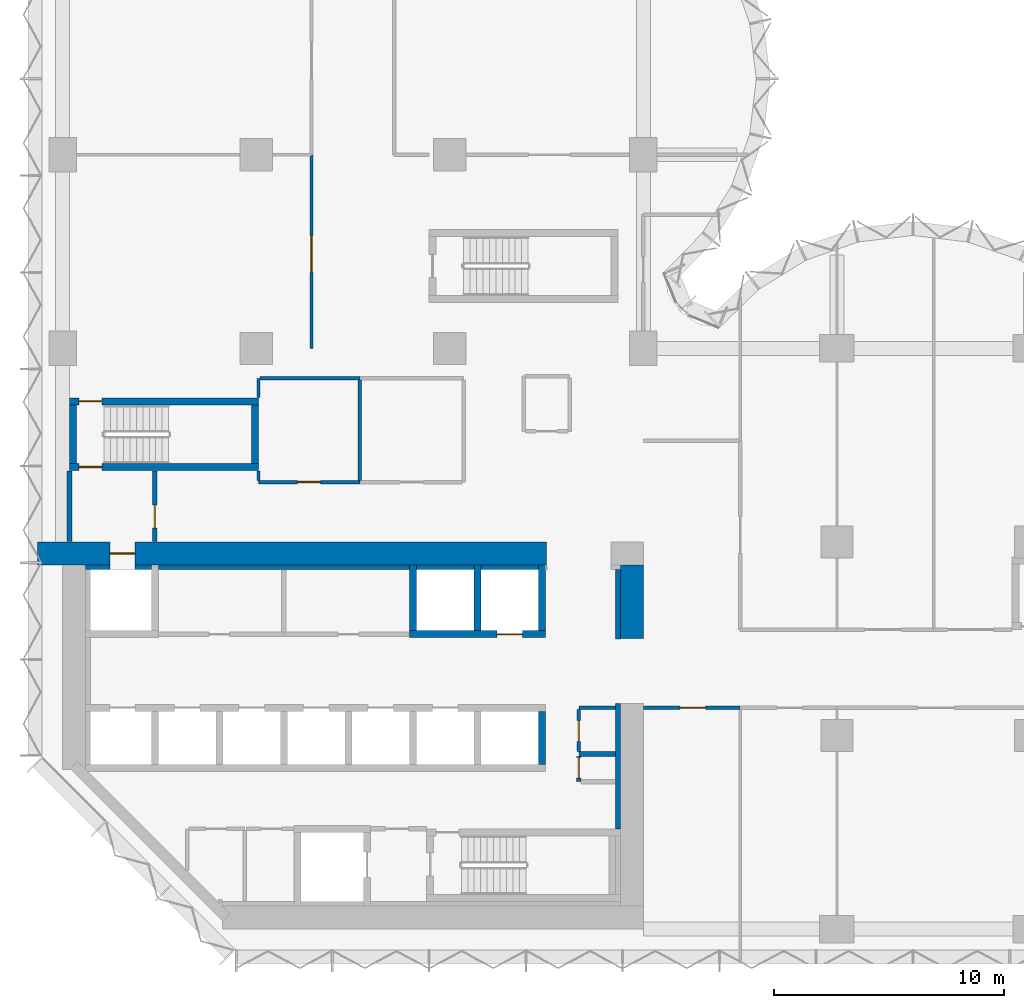
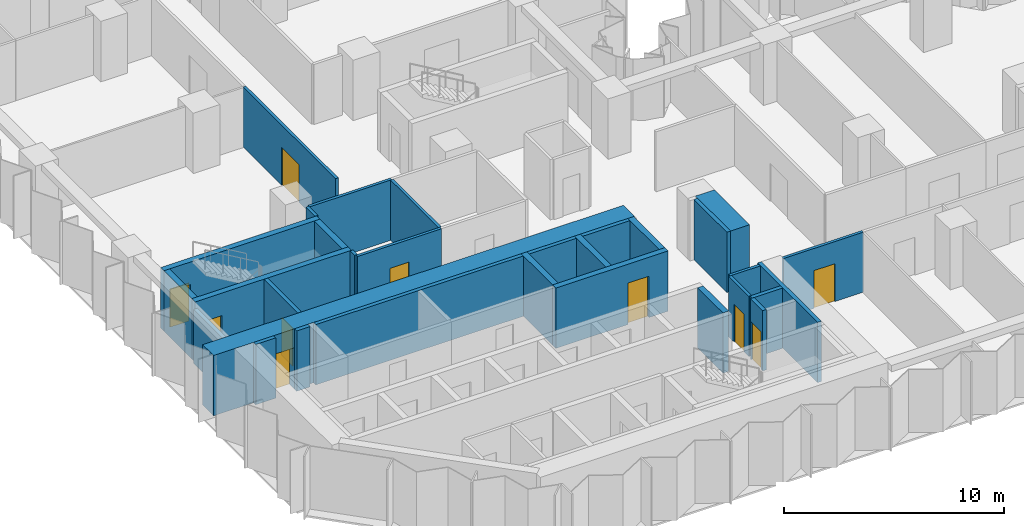
# One storey, part 8 of 15: 31 walls, 10 doors, 10 openings.
"""IFC4 building model written with IfcOpenShell, lengths in metres."""

from ifc_helpers import new_model, si_unit, direction, frame, frame_2d, origin, place, context, subcontext, project, spatial, rectangle, extrude, material, layer, layer_set, type_object, element, fill, save


model = new_model("IFC4")

# Units and contexts
model_context = context("Model", 3, precision=1e-05, world=origin(), true_north=direction((0.0, 1.0)))
body_context = subcontext(model_context, "Body", "Model", "MODEL_VIEW")
ifc_project = project(units=[si_unit("LENGTHUNIT", "METRE"), si_unit("AREAUNIT", "SQUARE_METRE"), si_unit("VOLUMEUNIT", "CUBIC_METRE"), si_unit("PLANEANGLEUNIT", "RADIAN"), si_unit("MASSUNIT", "GRAM", prefix="KILO")], contexts=[model_context])

# Site, building, storey
site_placement = place(None, origin())
site = spatial("IfcSite", under=ifc_project, at=site_placement, CompositionType="ELEMENT")
building_placement = place(site_placement, origin())
building = spatial("IfcBuilding", under=site, at=building_placement, Name="Brevane Broadcast Tower", CompositionType="ELEMENT")
storey_placement = place(building_placement, frame((0.0, 0.0, 65.300048828125)))
storey = spatial("IfcBuildingStorey", under=building, at=storey_placement, Name="L14", CompositionType="ELEMENT", Elevation=65.300048828125)

# Walls
ifc_material_1 = material(Name="Concrete C32/40", Category="concrete")
ifc_layer_1 = layer(ifc_material_1, 0.199951171875)
ifc_layer_set_1 = layer_set([ifc_layer_1], Name="Core chase wall 200 mm")
wall_type_1 = type_object("IfcWallType", Name="Core chase wall 200 mm", PredefinedType="PARTITIONING", material=ifc_layer_set_1)
wall_1_placement = place(storey_placement, frame((24.10009765625, 12.60009765625, 0.0), z_axis=(0.0, 0.0, 1.0), x_axis=(0.0, 1.0, 0.0)))
element("IfcWall", 1, at=wall_1_placement, inside=storey, type_object=wall_type_1, Name="L14 chase wall LE2", PredefinedType="PARTITIONING", context=body_context, shape_type="SweptSolid", body=[
    extrude(rectangle(XDim=3.0, YDim=0.199951171875, at=frame_2d((1.5, 0.0))), origin(), (0.0, 0.0, 1.0), 3.349853515625),
])
wall_2_placement = place(storey_placement, frame((1.0, 15.699951171875, 0.0), z_axis=(0.0, 0.0, 1.0), x_axis=(1.0, 0.0, 0.0)))
element("IfcWall", 2, at=wall_2_placement, inside=storey, type_object=wall_type_1, Name="L14 chase wall LN0", PredefinedType="PARTITIONING", context=body_context, shape_type="SweptSolid", body=[
    extrude(rectangle(XDim=1.050048828125, YDim=0.199951171875, at=frame_2d((0.52490234375, 0.0))), origin(), (0.0, 0.0, 1.0), 3.349853515625),
])
wall_3_placement = place(storey_placement, frame((3.14990234375, 15.699951171875, 0.0), z_axis=(0.0, 0.0, 1.0), x_axis=(1.0, 0.0, 0.0)))
element("IfcWall", 3, at=wall_3_placement, inside=storey, type_object=wall_type_1, Name="L14 chase wall LN1-1", PredefinedType="PARTITIONING", context=body_context, shape_type="SweptSolid", body=[
    extrude(rectangle(XDim=0.7001953125, YDim=0.199951171875, at=frame_2d((0.35009765625, 0.0))), origin(), (0.0, 0.0, 1.0), 3.349853515625),
])
wall_4_placement = place(storey_placement, frame((4.14990234375, 15.699951171875, 0.0), z_axis=(0.0, 0.0, 1.0), x_axis=(1.0, 0.0, 0.0)))
element("IfcWall", 4, at=wall_4_placement, inside=storey, type_object=wall_type_1, Name="L14 chase wall LN1-2-1", PredefinedType="PARTITIONING", context=body_context, shape_type="SweptSolid", body=[
    extrude(rectangle(XDim=10.900146484375, YDim=0.199951171875, at=frame_2d((5.4501953125, 0.0))), origin(), (0.0, 0.0, 1.0), 3.349853515625),
])
for number, where, z_axis, x_axis, name in (
    (5, (15.35009765625, 15.699951171875, 0.0), (0.0, 0.0, 1.0), (1.0, 0.0, 0.0), "L14 chase wall LN1-2-2-1"),
    (6, (18.14990234375, 15.699951171875, 0.0), (0.0, 0.0, 1.0), (1.0, 0.0, 0.0), "L14 chase wall LN1-2-2-2-1"),
):
    element("IfcWall", number, at=place(storey_placement, frame(where, z_axis=z_axis, x_axis=x_axis)), inside=storey, type_object=wall_type_1, Name=name, PredefinedType="PARTITIONING", context=body_context, shape_type="SweptSolid", body=[
        extrude(rectangle(XDim=2.5, YDim=0.199951171875, at=frame_2d((1.25, 0.0))), origin(), (0.0, 0.0, 1.0), 3.349853515625),
    ])
wall_5_placement = place(storey_placement, frame((24.10009765625, 4.35009765625, 0.0), z_axis=(0.0, 0.0, 1.0), x_axis=(0.0, 1.0, 0.0)))
element("IfcWall", 7, at=wall_5_placement, inside=storey, type_object=wall_type_1, Name="L14 chase wall LE1-2-2", PredefinedType="PARTITIONING", context=body_context, shape_type="SweptSolid", body=[
    extrude(rectangle(XDim=5.449951171875, YDim=0.199951171875, at=frame_2d((2.72509765625, 0.0))), origin(), (0.0, 0.0, 1.0), 3.349853515625),
])

# Wall, opening, door
ifc_material_2 = material(Name="Gypsum board on steel studs", Category="steel")
ifc_layer_2 = layer(ifc_material_2, 0.14990234375)
ifc_layer_set_2 = layer_set([ifc_layer_2], Name="Core fire partition 150 mm")
wall_type_2 = type_object("IfcWallType", Name="Core fire partition 150 mm", PredefinedType="PARTITIONING", material=ifc_layer_set_2)
wall_6_placement = place(storey_placement, frame((12.89990234375, 19.39990234375, 0.0), z_axis=(0.0, 0.0, 1.0), x_axis=(-1.0, 0.0, 0.0)))
wall_6 = element("IfcWall", 8, at=wall_6_placement, inside=storey, type_object=wall_type_2, Name="L14 partition wall P15", PredefinedType="PARTITIONING", context=body_context, shape_type="SweptSolid", body=[
    extrude(rectangle(XDim=4.39990234375, YDim=0.14990234375, at=frame_2d((2.199951171875, 0.0))), origin(), (0.0, 0.0, 1.0), 3.349853515625),
])
opening_1_placement = place(wall_6_placement, frame((1.699951171875, 0.0, 0.0)))
opening_1 = element("IfcOpeningElement", 9, at=opening_1_placement, cuts=wall_6, Name="Opening L14-K25", PredefinedType="OPENING", context=body_context, shape_type="SweptSolid", body=[
    extrude(rectangle(XDim=1.0, YDim=2.10009765625, at=frame_2d((0.5, 1.050048828125))), frame((0.0, 0.0849609375, 0.0), z_axis=(0.0, -1.0, 0.0), x_axis=(1.0, 0.0, 0.0)), (0.0, 0.0, 1.0), 0.169921875),
])
ifc_material_3 = material(Name="Steel", Category="steel")
door_type_1 = type_object("IfcDoorType", Name="Service room door 1000 x 2100", OperationType="SINGLE_SWING_LEFT", PredefinedType="DOOR", material=ifc_material_3)
door_1_placement = place(opening_1_placement, origin())
door_1 = element("IfcDoor", 10, at=door_1_placement, inside=storey, type_object=door_type_1, Name="Door L14-K25", OperationType="SINGLE_SWING_RIGHT", OverallHeight=2.10009765625, OverallWidth=1.0, PredefinedType="DOOR", context=body_context, shape_type="SweptSolid", body=[
    extrude(rectangle(XDim=1.0, YDim=2.10009765625, at=frame_2d((0.5, 1.050048828125))), frame((0.0, 0.02490234375, 0.0), z_axis=(0.0, -1.0, 0.0), x_axis=(1.0, 0.0, 0.0)), (0.0, 0.0, 1.0), 0.050048828125),
])
fill(opening_1, door_1)

# Walls
wall_7_placement = place(storey_placement, frame((8.5, 19.47509765625, 0.0), z_axis=(0.0, 0.0, 1.0), x_axis=(0.0, 1.0, 0.0)))
element("IfcWall", 11, at=wall_7_placement, inside=storey, type_object=wall_type_2, Name="L14 partition wall P16", PredefinedType="PARTITIONING", context=body_context, shape_type="SweptSolid", body=[
    extrude(rectangle(XDim=0.412841796875, YDim=0.14990234375, at=frame_2d((0.20654296875, 0.0))), origin(), (0.0, 0.0, 1.0), 3.349853515625),
])
wall_8_placement = place(storey_placement, frame((8.5, 23.06201171875, 0.0), z_axis=(0.0, 0.0, 1.0), x_axis=(0.0, 1.0, 0.0)))
element("IfcWall", 12, at=wall_8_placement, inside=storey, type_object=wall_type_2, Name="L14 partition wall P17", PredefinedType="PARTITIONING", context=body_context, shape_type="SweptSolid", body=[
    extrude(rectangle(XDim=0.837890625, YDim=0.14990234375, at=frame_2d((0.4189453125, 0.0))), origin(), (0.0, 0.0, 1.0), 3.349853515625),
])
wall_9_placement = place(storey_placement, frame((8.574951171875, 23.89990234375, 0.0), z_axis=(0.0, 0.0, 1.0), x_axis=(1.0, 0.0, 0.0)))
element("IfcWall", 13, at=wall_9_placement, inside=storey, type_object=wall_type_2, Name="L14 partition wall P18", PredefinedType="PARTITIONING", context=body_context, shape_type="SweptSolid", body=[
    extrude(rectangle(XDim=4.324951171875, YDim=0.14990234375, at=frame_2d((2.16259765625, 0.0))), origin(), (0.0, 0.0, 1.0), 3.349853515625),
])
wall_10_placement = place(storey_placement, frame((12.89990234375, 23.824951171875, 0.0), z_axis=(0.0, 0.0, 1.0), x_axis=(0.0, -1.0, 0.0)))
element("IfcWall", 14, at=wall_10_placement, inside=storey, type_object=wall_type_2, Name="L14 partition wall P22", PredefinedType="PARTITIONING", context=body_context, shape_type="SweptSolid", body=[
    extrude(rectangle(XDim=4.349853515625, YDim=0.14990234375, at=frame_2d((2.1748046875, 0.0))), origin(), (0.0, 0.0, 1.0), 3.349853515625),
])
wall_11_placement = place(storey_placement, frame((23.988037109375, 9.60009765625, 0.0), z_axis=(0.0, 0.0, 1.0), x_axis=(-1.0, 0.0, 0.0)))
element("IfcWall", 15, at=wall_11_placement, inside=storey, type_object=wall_type_2, Name="L14 partition wall P23", PredefinedType="PARTITIONING", context=body_context, shape_type="SweptSolid", body=[
    extrude(rectangle(XDim=1.588134765625, YDim=0.14990234375, at=frame_2d((0.7939453125, 0.0))), origin(), (0.0, 0.0, 1.0), 3.349853515625),
])

# Wall, opening, door
wall_12_placement = place(storey_placement, frame((22.39990234375, 9.52490234375, 0.0), z_axis=(0.0, 0.0, 1.0), x_axis=(0.0, -1.0, 0.0)))
wall_12 = element("IfcWall", 16, at=wall_12_placement, inside=storey, type_object=wall_type_2, Name="L14 partition wall P24", PredefinedType="PARTITIONING", context=body_context, shape_type="SweptSolid", body=[
    extrude(rectangle(XDim=1.824951171875, YDim=0.14990234375, at=frame_2d((0.91259765625, 0.0))), origin(), (0.0, 0.0, 1.0), 3.349853515625),
])
opening_2_placement = place(wall_12_placement, frame((0.47509765625, 0.0, 0.0)))
opening_2 = element("IfcOpeningElement", 17, at=opening_2_placement, cuts=wall_12, Name="Opening L14-K20", PredefinedType="OPENING", context=body_context, shape_type="SweptSolid", body=[
    extrude(rectangle(XDim=0.89990234375, YDim=2.10009765625, at=frame_2d((0.449951171875, 1.050048828125))), frame((0.0, 0.0849609375, 0.0), z_axis=(0.0, -1.0, 0.0), x_axis=(1.0, 0.0, 0.0)), (0.0, 0.0, 1.0), 0.169921875),
])
door_type_2 = type_object("IfcDoorType", Name="Service room door 900 x 2100", OperationType="SINGLE_SWING_LEFT", PredefinedType="DOOR", material=ifc_material_3)
door_2_placement = place(opening_2_placement, origin())
door_2 = element("IfcDoor", 18, at=door_2_placement, inside=storey, type_object=door_type_2, Name="Door L14-K20", OperationType="SINGLE_SWING_LEFT", OverallHeight=2.10009765625, OverallWidth=0.89990234375, PredefinedType="DOOR", context=body_context, shape_type="SweptSolid", body=[
    extrude(rectangle(XDim=0.89990234375, YDim=2.10009765625, at=frame_2d((0.449951171875, 1.050048828125))), frame((0.0, 0.02490234375, 0.0), z_axis=(0.0, -1.0, 0.0), x_axis=(1.0, 0.0, 0.0)), (0.0, 0.0, 1.0), 0.050048828125),
])
fill(opening_2, door_2)

# Wall
ifc_layer_3 = layer(ifc_material_2, 0.199951171875)
ifc_layer_set_3 = layer_set([ifc_layer_3], Name="Core fire partition 200 mm")
wall_type_3 = type_object("IfcWallType", Name="Core fire partition 200 mm", PredefinedType="PARTITIONING", material=ifc_layer_set_3)
wall_13_placement = place(storey_placement, frame((0.300048828125, 16.81201171875, 0.0), z_axis=(0.0, 0.0, 1.0), x_axis=(0.0, 1.0, 0.0)))
element("IfcWall", 19, at=wall_13_placement, inside=storey, type_object=wall_type_3, Name="L14 partition wall P01", PredefinedType="PARTITIONING", context=body_context, shape_type="SweptSolid", body=[
    extrude(rectangle(XDim=3.075927734375, YDim=0.199951171875, at=frame_2d((1.5380859375, 0.0))), origin(), (0.0, 0.0, 1.0), 2.97998046875),
])

# Wall, opening, door
wall_14_placement = place(storey_placement, frame((4.0, 19.887939453125, 0.0), z_axis=(0.0, 0.0, 1.0), x_axis=(0.0, -1.0, 0.0)))
wall_14 = element("IfcWall", 20, at=wall_14_placement, inside=storey, type_object=wall_type_3, Name="L14 partition wall P02", PredefinedType="PARTITIONING", context=body_context, shape_type="SweptSolid", body=[
    extrude(rectangle(XDim=3.075927734375, YDim=0.199951171875, at=frame_2d((1.5380859375, 0.0))), origin(), (0.0, 0.0, 1.0), 3.349853515625),
])
opening_3_placement = place(wall_14_placement, frame((1.488037109375, 0.0, 0.0)))
opening_3 = element("IfcOpeningElement", 21, at=opening_3_placement, cuts=wall_14, Name="Opening L14-K23", PredefinedType="OPENING", context=body_context, shape_type="SweptSolid", body=[
    extrude(rectangle(XDim=1.0, YDim=2.10009765625, at=frame_2d((0.5, 1.050048828125))), frame((0.0, 0.10986328125, 0.0), z_axis=(0.0, -1.0, 0.0), x_axis=(1.0, 0.0, 0.0)), (0.0, 0.0, 1.0), 0.219970703125),
])
door_type_3 = type_object("IfcDoorType", Name="Stair door 1000 x 2100", OperationType="SINGLE_SWING_LEFT", PredefinedType="DOOR", material=ifc_material_3)
door_3_placement = place(opening_3_placement, origin())
door_3 = element("IfcDoor", 22, at=door_3_placement, inside=storey, type_object=door_type_3, Name="Door L14-K23", OperationType="SINGLE_SWING_RIGHT", OverallHeight=2.10009765625, OverallWidth=1.0, PredefinedType="DOOR", context=body_context, shape_type="SweptSolid", body=[
    extrude(rectangle(XDim=1.0, YDim=2.10009765625, at=frame_2d((0.5, 1.050048828125))), frame((0.0, 0.02490234375, 0.0), z_axis=(0.0, -1.0, 0.0), x_axis=(1.0, 0.0, 0.0)), (0.0, 0.0, 1.0), 0.050048828125),
])
fill(opening_3, door_3)

# Wall
wall_15_placement = place(storey_placement, frame((23.988037109375, 7.60009765625, 0.0), z_axis=(0.0, 0.0, 1.0), x_axis=(-1.0, 0.0, 0.0)))
element("IfcWall", 23, at=wall_15_placement, inside=storey, type_object=wall_type_3, Name="L14 partition wall P07", PredefinedType="PARTITIONING", context=body_context, shape_type="SweptSolid", body=[
    extrude(rectangle(XDim=1.588134765625, YDim=0.199951171875, at=frame_2d((0.7939453125, 0.0))), origin(), (0.0, 0.0, 1.0), 3.349853515625),
])

# Wall, opening, door
wall_16_placement = place(storey_placement, frame((22.39990234375, 7.5, 0.0), z_axis=(0.0, 0.0, 1.0), x_axis=(0.0, -1.0, 0.0)))
wall_16 = element("IfcWall", 24, at=wall_16_placement, inside=storey, type_object=wall_type_3, Name="L14 partition wall P08", PredefinedType="PARTITIONING", context=body_context, shape_type="SweptSolid", body=[
    extrude(rectangle(XDim=1.10009765625, YDim=0.199951171875, at=frame_2d((0.550048828125, 0.0))), origin(), (0.0, 0.0, 1.0), 3.349853515625),
])
opening_4_placement = place(wall_16_placement, frame((0.050048828125, 0.0, 0.0)))
opening_4 = element("IfcOpeningElement", 25, at=opening_4_placement, cuts=wall_16, Name="Opening L14-K19", PredefinedType="OPENING", context=body_context, shape_type="SweptSolid", body=[
    extrude(rectangle(XDim=0.89990234375, YDim=2.10009765625, at=frame_2d((0.449951171875, 1.050048828125))), frame((0.0, 0.10986328125, 0.0), z_axis=(0.0, -1.0, 0.0), x_axis=(1.0, 0.0, 0.0)), (0.0, 0.0, 1.0), 0.219970703125),
])
door_4_placement = place(opening_4_placement, origin())
door_4 = element("IfcDoor", 26, at=door_4_placement, inside=storey, type_object=door_type_2, Name="Door L14-K19", OperationType="SINGLE_SWING_RIGHT", OverallHeight=2.10009765625, OverallWidth=0.89990234375, PredefinedType="DOOR", context=body_context, shape_type="SweptSolid", body=[
    extrude(rectangle(XDim=0.89990234375, YDim=2.10009765625, at=frame_2d((0.449951171875, 1.050048828125))), frame((0.0, 0.02490234375, 0.0), z_axis=(0.0, -1.0, 0.0), x_axis=(1.0, 0.0, 0.0)), (0.0, 0.0, 1.0), 0.050048828125),
])
fill(opening_4, door_4)

ifc_material_4 = material(Name="Concrete C80/95", Category="concrete")
ifc_layer_4 = layer(ifc_material_4, 1.0)
ifc_layer_set_4 = layer_set([ifc_layer_4], Name="Core wall 1000 mm C80/95")
wall_type_4 = type_object("IfcWallType", Name="Core wall 1000 mm C80/95", PredefinedType="SHEAR", material=ifc_layer_set_4)
wall_17_placement = place(storey_placement, frame((-1.10009765625, 16.300048828125, 0.0), z_axis=(0.0, 0.0, 1.0), x_axis=(1.0, 0.0, 0.0)))
wall_17 = element("IfcWall", 27, at=wall_17_placement, inside=storey, type_object=wall_type_4, Name="L14 outer wall WN1", PredefinedType="SHEAR", context=body_context, shape_type="SweptSolid", body=[
    extrude(rectangle(XDim=22.10009765625, YDim=1.0, at=frame_2d((11.050048828125, 0.0))), origin(), (0.0, 0.0, 1.0), 3.349853515625),
])
opening_5_placement = place(wall_17_placement, frame((3.14990234375, 0.0, 0.0)))
opening_5 = element("IfcOpeningElement", 28, at=opening_5_placement, cuts=wall_17, Name="Opening LD", PredefinedType="OPENING", context=body_context, shape_type="SweptSolid", body=[
    extrude(rectangle(XDim=1.10009765625, YDim=2.300048828125, at=frame_2d((0.550048828125, 1.14990234375))), frame((0.0, 0.510009765625, 0.0), z_axis=(0.0, -1.0, 0.0), x_axis=(1.0, 0.0, 0.0)), (0.0, 0.0, 1.0), 1.02001953125),
])
ifc_material_5 = material(Name="Stainless steel", Category="steel")
door_type_4 = type_object("IfcDoorType", Name="Lift landing door", OperationType="SLIDING_TO_LEFT", PredefinedType="DOOR", material=ifc_material_5)
door_5_placement = place(opening_5_placement, origin())
door_5 = element("IfcDoor", 29, at=door_5_placement, inside=storey, type_object=door_type_4, Name="Landing door FF1 L14", OperationType="SLIDING_TO_LEFT", OverallHeight=2.300048828125, OverallWidth=1.10009765625, PredefinedType="DOOR", context=body_context, shape_type="SweptSolid", body=[
    extrude(rectangle(XDim=1.10009765625, YDim=2.300048828125, at=frame_2d((0.550048828125, 1.14990234375))), frame((0.0, 0.02490234375, 0.0), z_axis=(0.0, -1.0, 0.0), x_axis=(1.0, 0.0, 0.0)), (0.0, 0.0, 1.0), 0.050048828125),
])
fill(opening_5, door_5)

# Walls
wall_18_placement = place(storey_placement, frame((24.699951171875, 12.60009765625, 0.0), z_axis=(0.0, 0.0, 1.0), x_axis=(0.0, 1.0, 0.0)))
element("IfcWall", 30, at=wall_18_placement, inside=storey, type_object=wall_type_4, Name="L14 outer wall WE2", PredefinedType="SHEAR", context=body_context, shape_type="SweptSolid", body=[
    extrude(rectangle(XDim=3.199951171875, YDim=1.0, at=frame_2d((1.60009765625, 0.0))), origin(), (0.0, 0.0, 1.0), 3.349853515625),
])
ifc_layer_5 = layer(ifc_material_4, 0.300048828125)
ifc_layer_set_5 = layer_set([ifc_layer_5], Name="Core wall 300 mm C80/95")
wall_type_5 = type_object("IfcWallType", Name="Core wall 300 mm C80/95", PredefinedType="SHEAR", material=ifc_layer_set_5)
wall_19_placement = place(storey_placement, frame((20.800048828125, 7.14990234375, 0.0), z_axis=(0.0, 0.0, 1.0), x_axis=(0.0, 1.0, 0.0)))
element("IfcWall", 31, at=wall_19_placement, inside=storey, type_object=wall_type_5, Name="L14 shaft wall SH-S-P208", PredefinedType="SHEAR", context=body_context, shape_type="SweptSolid", body=[
    extrude(rectangle(XDim=2.300048828125, YDim=0.300048828125, at=frame_2d((1.14990234375, 0.0))), origin(), (0.0, 0.0, 1.0), 3.349853515625),
])

# Wall, opening, door
wall_20_placement = place(storey_placement, frame((15.050048828125, 12.800048828125, 0.0), z_axis=(0.0, 0.0, 1.0), x_axis=(1.0, 0.0, 0.0)))
wall_20 = element("IfcWall", 32, at=wall_20_placement, inside=storey, type_object=wall_type_5, Name="L14 shaft wall SH-N152-front", PredefinedType="SHEAR", context=body_context, shape_type="SweptSolid", body=[
    extrude(rectangle(XDim=5.89990234375, YDim=0.300048828125, at=frame_2d((2.949951171875, 0.0))), origin(), (0.0, 0.0, 1.0), 3.349853515625),
])
opening_6_placement = place(wall_20_placement, frame((3.800048828125, 0.0, 0.0)))
opening_6 = element("IfcOpeningElement", 33, at=opening_6_placement, cuts=wall_20, Name="Opening LD", PredefinedType="OPENING", context=body_context, shape_type="SweptSolid", body=[
    extrude(rectangle(XDim=1.10009765625, YDim=2.300048828125, at=frame_2d((0.550048828125, 1.14990234375))), frame((0.0, 0.159912109375, 0.0), z_axis=(0.0, -1.0, 0.0), x_axis=(1.0, 0.0, 0.0)), (0.0, 0.0, 1.0), 0.320068359375),
])
door_6_placement = place(opening_6_placement, origin())
door_6 = element("IfcDoor", 34, at=door_6_placement, inside=storey, type_object=door_type_4, Name="Landing door SL1 L14", OperationType="SLIDING_TO_LEFT", OverallHeight=2.300048828125, OverallWidth=1.10009765625, PredefinedType="DOOR", context=body_context, shape_type="SweptSolid", body=[
    extrude(rectangle(XDim=1.10009765625, YDim=2.300048828125, at=frame_2d((0.550048828125, 1.14990234375))), frame((0.0, 0.02490234375, 0.0), z_axis=(0.0, -1.0, 0.0), x_axis=(1.0, 0.0, 0.0)), (0.0, 0.0, 1.0), 0.050048828125),
])
fill(opening_6, door_6)

# Walls
for number, where, z_axis, x_axis, name in (
    (35, (15.199951171875, 12.949951171875, 0.0), (0.0, 0.0, 1.0), (0.0, 1.0, 0.0), "L14 shaft wall SH-N-P152"),
    (36, (18.0, 12.949951171875, 0.0), (0.0, 0.0, 1.0), (0.0, 1.0, 0.0), "L14 shaft wall SH-N-P180"),
    (37, (20.800048828125, 12.949951171875, 0.0), (0.0, 0.0, 1.0), (0.0, 1.0, 0.0), "L14 shaft wall SH-N-P208"),
):
    element("IfcWall", number, at=place(storey_placement, frame(where, z_axis=z_axis, x_axis=x_axis)), inside=storey, type_object=wall_type_5, Name=name, PredefinedType="SHEAR", context=body_context, shape_type="SweptSolid", body=[
        extrude(rectangle(XDim=2.85009765625, YDim=0.300048828125, at=frame_2d((1.425048828125, 0.0))), origin(), (0.0, 0.0, 1.0), 3.349853515625),
    ])

# Wall, opening, door
wall_21_placement = place(storey_placement, frame((8.5, 20.050048828125, 0.0), z_axis=(0.0, 0.0, 1.0), x_axis=(-1.0, 0.0, 0.0)))
wall_21 = element("IfcWall", 38, at=wall_21_placement, inside=storey, type_object=wall_type_5, Name="L14 stair wall ST-1-S", PredefinedType="SHEAR", context=body_context, shape_type="SweptSolid", body=[
    extrude(rectangle(XDim=8.199951171875, YDim=0.300048828125, at=frame_2d((4.10009765625, 0.0))), origin(), (0.0, 0.0, 1.0), 3.349853515625),
])
opening_7_placement = place(wall_21_placement, frame((6.800048828125, 0.0, 0.0)))
opening_7 = element("IfcOpeningElement", 39, at=opening_7_placement, cuts=wall_21, Name="Opening L14-K10", PredefinedType="OPENING", context=body_context, shape_type="SweptSolid", body=[
    extrude(rectangle(XDim=1.0, YDim=2.10009765625, at=frame_2d((0.5, 1.050048828125))), frame((0.0, 0.159912109375, 0.0), z_axis=(0.0, -1.0, 0.0), x_axis=(1.0, 0.0, 0.0)), (0.0, 0.0, 1.0), 0.320068359375),
])
door_7_placement = place(opening_7_placement, origin())
door_7 = element("IfcDoor", 40, at=door_7_placement, inside=storey, type_object=door_type_3, Name="Door L14-K10", OperationType="SINGLE_SWING_LEFT", OverallHeight=2.10009765625, OverallWidth=1.0, PredefinedType="DOOR", context=body_context, shape_type="SweptSolid", body=[
    extrude(rectangle(XDim=1.0, YDim=2.10009765625, at=frame_2d((0.5, 1.050048828125))), frame((0.0, 0.02490234375, 0.0), z_axis=(0.0, -1.0, 0.0), x_axis=(1.0, 0.0, 0.0)), (0.0, 0.0, 1.0), 0.050048828125),
])
fill(opening_7, door_7)

wall_22_placement = place(storey_placement, frame((0.300048828125, 22.89990234375, 0.0), z_axis=(0.0, 0.0, 1.0), x_axis=(1.0, 0.0, 0.0)))
wall_22 = element("IfcWall", 41, at=wall_22_placement, inside=storey, type_object=wall_type_5, Name="L14 stair wall ST-1-N", PredefinedType="SHEAR", context=body_context, shape_type="SweptSolid", body=[
    extrude(rectangle(XDim=8.199951171875, YDim=0.300048828125, at=frame_2d((4.10009765625, 0.0))), origin(), (0.0, 0.0, 1.0), 3.349853515625),
])
opening_8_placement = place(wall_22_placement, frame((0.39990234375, 0.0, 0.0)))
opening_8 = element("IfcOpeningElement", 42, at=opening_8_placement, cuts=wall_22, Name="Opening L14-K11", PredefinedType="OPENING", context=body_context, shape_type="SweptSolid", body=[
    extrude(rectangle(XDim=1.0, YDim=2.10009765625, at=frame_2d((0.5, 1.050048828125))), frame((0.0, 0.159912109375, 0.0), z_axis=(0.0, -1.0, 0.0), x_axis=(1.0, 0.0, 0.0)), (0.0, 0.0, 1.0), 0.320068359375),
])
door_8_placement = place(opening_8_placement, origin())
door_8 = element("IfcDoor", 43, at=door_8_placement, inside=storey, type_object=door_type_3, Name="Door L14-K11", OperationType="SINGLE_SWING_RIGHT", OverallHeight=2.10009765625, OverallWidth=1.0, PredefinedType="DOOR", context=body_context, shape_type="SweptSolid", body=[
    extrude(rectangle(XDim=1.0, YDim=2.10009765625, at=frame_2d((0.5, 1.050048828125))), frame((0.0, 0.02490234375, 0.0), z_axis=(0.0, -1.0, 0.0), x_axis=(1.0, 0.0, 0.0)), (0.0, 0.0, 1.0), 0.050048828125),
])
fill(opening_8, door_8)

# Walls
for number, where, z_axis, x_axis, name in (
    (44, (0.449951171875, 20.199951171875, 0.0), (0.0, 0.0, 1.0), (0.0, 1.0, 0.0), "L14 stair wall ST-1-W"),
    (45, (8.35009765625, 20.199951171875, 0.0), (0.0, 0.0, 1.0), (0.0, 1.0, 0.0), "L14 stair wall ST-1-E"),
):
    element("IfcWall", number, at=place(storey_placement, frame(where, z_axis=z_axis, x_axis=x_axis)), inside=storey, type_object=wall_type_5, Name=name, PredefinedType="SHEAR", context=body_context, shape_type="SweptSolid", body=[
        extrude(rectangle(XDim=2.550048828125, YDim=0.300048828125, at=frame_2d((1.27490234375, 0.0))), origin(), (0.0, 0.0, 1.0), 3.349853515625),
    ])

# Wall, opening, door
ifc_material_6 = material(Name="Gypsum board partition")
ifc_layer_6 = layer(ifc_material_6, 0.14990234375)
ifc_layer_set_6 = layer_set([ifc_layer_6], Name="PARTITION 150 EI 60")
wall_type_6 = type_object("IfcWallType", Name="PARTITION 150 EI 60", PredefinedType="PARTITIONING", material=ifc_layer_set_6)
wall_23_placement = place(storey_placement, frame((29.39990234375, 9.60009765625, 0.0), z_axis=(0.0, 0.0, 1.0), x_axis=(-1.0, 0.0, 0.0)))
wall_23 = element("IfcWall", 46, at=wall_23_placement, inside=storey, type_object=wall_type_6, Name="Partition G03-002", PredefinedType="PARTITIONING", context=body_context, shape_type="SweptSolid", body=[
    extrude(rectangle(XDim=4.199951171875, YDim=0.14990234375, at=frame_2d((2.10009765625, 0.0))), origin(), (0.0, 0.0, 1.0), 3.329833984375),
])
opening_9_placement = place(wall_23_placement, frame((1.5, 0.0, 0.0)))
opening_9 = element("IfcOpeningElement", 47, at=opening_9_placement, cuts=wall_23, Name="Opening D09-003", PredefinedType="OPENING", context=body_context, shape_type="SweptSolid", body=[
    extrude(rectangle(XDim=1.10009765625, YDim=2.10009765625, at=frame_2d((0.550048828125, 1.050048828125))), frame((0.0, 0.0849609375, 0.0), z_axis=(0.0, -1.0, 0.0), x_axis=(1.0, 0.0, 0.0)), (0.0, 0.0, 1.0), 0.169921875),
])
ifc_material_7 = material(Name="Fire-rated timber door leaf", Category="wood")
door_type_5 = type_object("IfcDoorType", Name="DOOR SINGLE 1100 FD30S", OperationType="SINGLE_SWING_LEFT", PredefinedType="DOOR", material=ifc_material_7)
door_9_placement = place(opening_9_placement, origin())
door_9 = element("IfcDoor", 48, at=door_9_placement, inside=storey, type_object=door_type_5, Name="Door D09-003", OperationType="SINGLE_SWING_LEFT", OverallHeight=2.10009765625, OverallWidth=1.10009765625, PredefinedType="DOOR", context=body_context, shape_type="SweptSolid", body=[
    extrude(rectangle(XDim=1.10009765625, YDim=2.10009765625, at=frame_2d((0.550048828125, 1.050048828125))), frame((0.0, 0.02490234375, 0.0), z_axis=(0.0, -1.0, 0.0), x_axis=(1.0, 0.0, 0.0)), (0.0, 0.0, 1.0), 0.050048828125),
])
fill(opening_9, door_9)

wall_24_placement = place(storey_placement, frame((10.800048828125, 25.199951171875, 0.0), z_axis=(0.0, 0.0, 1.0), x_axis=(0.0, 1.0, 0.0)))
wall_24 = element("IfcWall", 49, at=wall_24_placement, inside=storey, type_object=wall_type_6, Name="Partition G03-036", PredefinedType="PARTITIONING", context=body_context, shape_type="SweptSolid", body=[
    extrude(rectangle(XDim=8.400146484375, YDim=0.14990234375, at=frame_2d((4.2001953125, 0.0))), origin(), (0.0, 0.0, 1.0), 3.329833984375),
])
opening_10_placement = place(wall_24_placement, frame((3.300048828125, 0.0, 0.0)))
opening_10 = element("IfcOpeningElement", 50, at=opening_10_placement, cuts=wall_24, Name="Opening D09-014", PredefinedType="OPENING", context=body_context, shape_type="SweptSolid", body=[
    extrude(rectangle(XDim=1.60009765625, YDim=2.10009765625, at=frame_2d((0.800048828125, 1.050048828125))), frame((0.0, 0.0849609375, 0.0), z_axis=(0.0, -1.0, 0.0), x_axis=(1.0, 0.0, 0.0)), (0.0, 0.0, 1.0), 0.169921875),
])
door_type_6 = type_object("IfcDoorType", Name="DOOR DOUBLE 1600 FD30S", OperationType="DOUBLE_DOOR_SINGLE_SWING", PredefinedType="DOOR", material=ifc_material_7)
door_10_placement = place(opening_10_placement, origin())
door_10 = element("IfcDoor", 51, at=door_10_placement, inside=storey, type_object=door_type_6, Name="Door D09-014", OperationType="DOUBLE_DOOR_SINGLE_SWING", OverallHeight=2.10009765625, OverallWidth=1.60009765625, PredefinedType="DOOR", context=body_context, shape_type="SweptSolid", body=[
    extrude(rectangle(XDim=1.60009765625, YDim=2.10009765625, at=frame_2d((0.800048828125, 1.050048828125))), frame((0.0, 0.02490234375, 0.0), z_axis=(0.0, -1.0, 0.0), x_axis=(1.0, 0.0, 0.0)), (0.0, 0.0, 1.0), 0.050048828125),
])
fill(opening_10, door_10)

save(model, "model.ifc")
